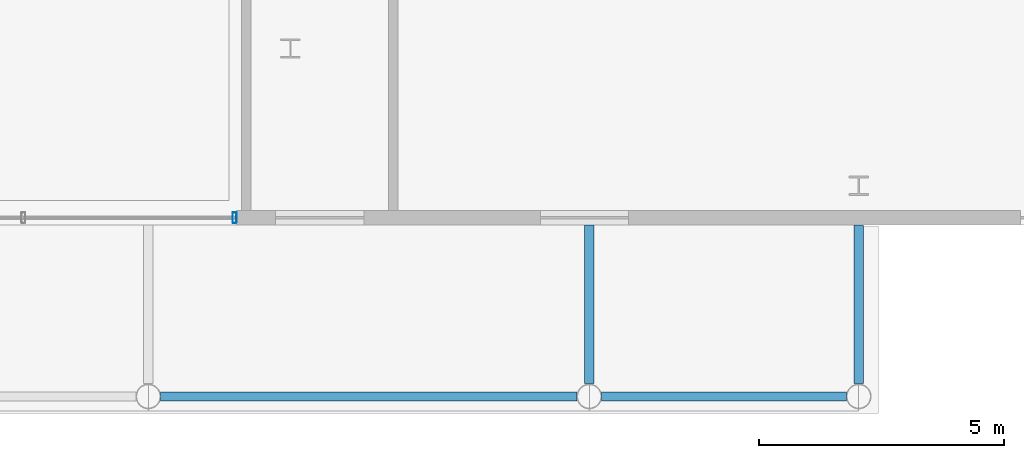
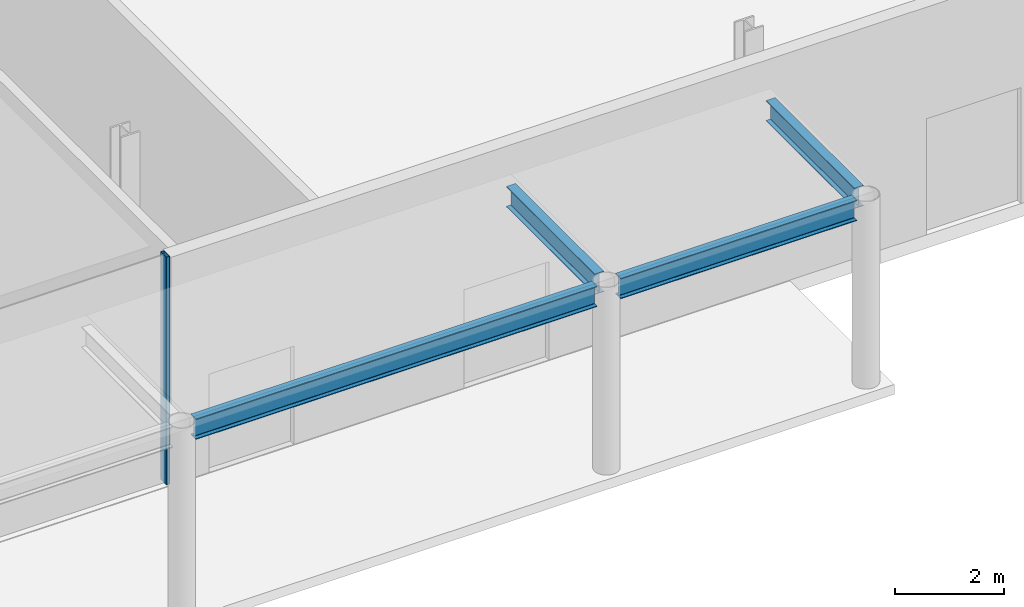
# One storey, part 14 of 46: 4 beams, 1 member, 1 element without a shape of its own.
"""IFC4 building model written with IfcOpenShell, lengths in metres."""

from ifc_helpers import new_model, si_unit, direction, frame, origin, origin_2d, place, context, subcontext, project, spatial, hollow_rectangle, i_section, extrude, material, layer, layer_set, material_profile, profile_set, type_object, element, aggregate, save


model = new_model("IFC4")

# Units and contexts
model_context = context("Model", 3, precision=1e-05, world=origin(), true_north=direction((0.0, 1.0)))
body_context = subcontext(model_context, "Body", "Model", "MODEL_VIEW")
ifc_project = project(units=[si_unit("LENGTHUNIT", "METRE"), si_unit("AREAUNIT", "SQUARE_METRE"), si_unit("VOLUMEUNIT", "CUBIC_METRE"), si_unit("PLANEANGLEUNIT", "RADIAN"), si_unit("MASSUNIT", "GRAM", prefix="KILO")], contexts=[model_context])

# Site, building, storey
site_placement = place(None, origin())
site = spatial("IfcSite", under=ifc_project, at=site_placement, CompositionType="ELEMENT")
building_placement = place(site_placement, origin())
building = spatial("IfcBuilding", under=site, at=building_placement, Name="Korimba Cascade Residences", CompositionType="ELEMENT")
storey_placement = place(building_placement, origin())
storey = spatial("IfcBuildingStorey", under=building, at=storey_placement, Name="L00", CompositionType="ELEMENT", Elevation=0.0)

# Beams
ifc_material_1 = material(Name="Steel S355", Category="steel")
ifc_material_profile_1 = material_profile(ifc_material_1, i_section(OverallWidth=0.19140625, OverallDepth=0.4599609375, WebThickness=0.010009765625, FlangeThickness=0.01611328125, FilletRadius=0.01025390625, at=origin_2d()), Name="Steel S355")
ifc_profile_set_1 = profile_set([ifc_material_profile_1], Name="Steel S355")
beam_type = type_object("IfcBeamType", Name="BM-STL-UB457", PredefinedType="JOIST", material=ifc_profile_set_1)
for number, where, z_axis, x_axis, name in (
    (1, (118.10009765625, -29.739990234375, 3.969970703125), (0.0, 1.0, 0.0), (-1.0, 0.0, 0.0), "Canopy Tie Beam 6"),
    (2, (123.60009765625, -29.739990234375, 3.969970703125), (0.0, 1.0, 0.0), (-1.0, 0.0, 0.0), "Canopy Tie Beam 7"),
):
    element("IfcBeam", number, at=place(storey_placement, frame(where, z_axis=z_axis, x_axis=x_axis)), inside=storey, type_object=beam_type, Name=name, PredefinedType="JOIST", context=body_context, shape_type="SweptSolid", body=[
        extrude(i_section(OverallWidth=0.19140625, OverallDepth=0.4599609375, WebThickness=0.010009765625, FlangeThickness=0.01611328125, FilletRadius=0.01025390625, at=origin_2d()), origin(), (0.0, 0.0, 1.0), 3.239990234375),
    ])
beam_1_placement = place(storey_placement, frame((109.35009765625, -30.0, 3.969970703125), z_axis=(1.0, 0.0, 0.0), x_axis=(0.0, 1.0, 0.0)))
element("IfcBeam", 3, at=beam_1_placement, inside=storey, type_object=beam_type, Name="Canopy Edge Beam 5", PredefinedType="JOIST", context=body_context, shape_type="SweptSolid", body=[
    extrude(i_section(OverallWidth=0.19140625, OverallDepth=0.4599609375, WebThickness=0.010009765625, FlangeThickness=0.01611328125, FilletRadius=0.01025390625, at=origin_2d()), origin(), (0.0, 0.0, 1.0), 8.5),
])
beam_2_placement = place(storey_placement, frame((118.35009765625, -30.0, 3.969970703125), z_axis=(1.0, 0.0, 0.0), x_axis=(0.0, 1.0, 0.0)))
element("IfcBeam", 4, at=beam_2_placement, inside=storey, type_object=beam_type, Name="Canopy Edge Beam 6", PredefinedType="JOIST", context=body_context, shape_type="SweptSolid", body=[
    extrude(i_section(OverallWidth=0.19140625, OverallDepth=0.4599609375, WebThickness=0.010009765625, FlangeThickness=0.01611328125, FilletRadius=0.01025390625, at=origin_2d()), origin(), (0.0, 0.0, 1.0), 5.0),
])

# Curtain wall, member
ifc_material_2 = material(Name="Anodised Aluminium Curtain Wall Framing", Category="aluminium")
ifc_layer = layer(ifc_material_2, 0.179931640625)
ifc_layer_set = layer_set([ifc_layer], Name="Anodised Aluminium Curtain Wall Framing")
curtain_wall_type = type_object("IfcCurtainWallType", Name="CW-POD-SYS1", PredefinedType="NOTDEFINED", material=ifc_layer_set)
curtain_wall_placement = place(storey_placement, origin())
curtain_wall = element("IfcCurtainWall", 5, at=curtain_wall_placement, inside=storey, type_object=curtain_wall_type, Name="L00 Curtain Wall CW-L00-POD-S2", PredefinedType="NOTDEFINED")
ifc_material_3 = material(Name="Anodised Aluminium Mullion", Category="aluminium")
ifc_material_profile_2 = material_profile(ifc_material_3, hollow_rectangle(XDim=0.080078125, YDim=0.219970703125, WallThickness=0.00634765625, InnerFilletRadius=0.00634765625, OuterFilletRadius=0.0126953125, at=origin_2d()), Name="Anodised Aluminium Mullion")
ifc_profile_set_2 = profile_set([ifc_material_profile_2], Name="Anodised Aluminium Mullion")
member_type = type_object("IfcMemberType", Name="CWM-MUL-220", PredefinedType="MULLION", material=ifc_profile_set_2)
member_placement = place(storey_placement, frame((110.860107421875, -26.35009765625, 0.0), z_axis=(0.0, 0.0, 1.0), x_axis=(1.0, 0.0, 0.0)))
member = element("IfcMember", 6, at=member_placement, type_object=member_type, Name="CW-L00-POD-S2 Mullion 3", PredefinedType="MULLION", context=body_context, shape_type="SweptSolid", body=[
    extrude(hollow_rectangle(XDim=0.080078125, YDim=0.219970703125, WallThickness=0.00634765625, InnerFilletRadius=0.00634765625, OuterFilletRadius=0.0126953125, at=origin_2d()), origin(), (0.0, 0.0, 1.0), 5.10009765625),
])
aggregate(curtain_wall, [member])

save(model, "model.ifc")
